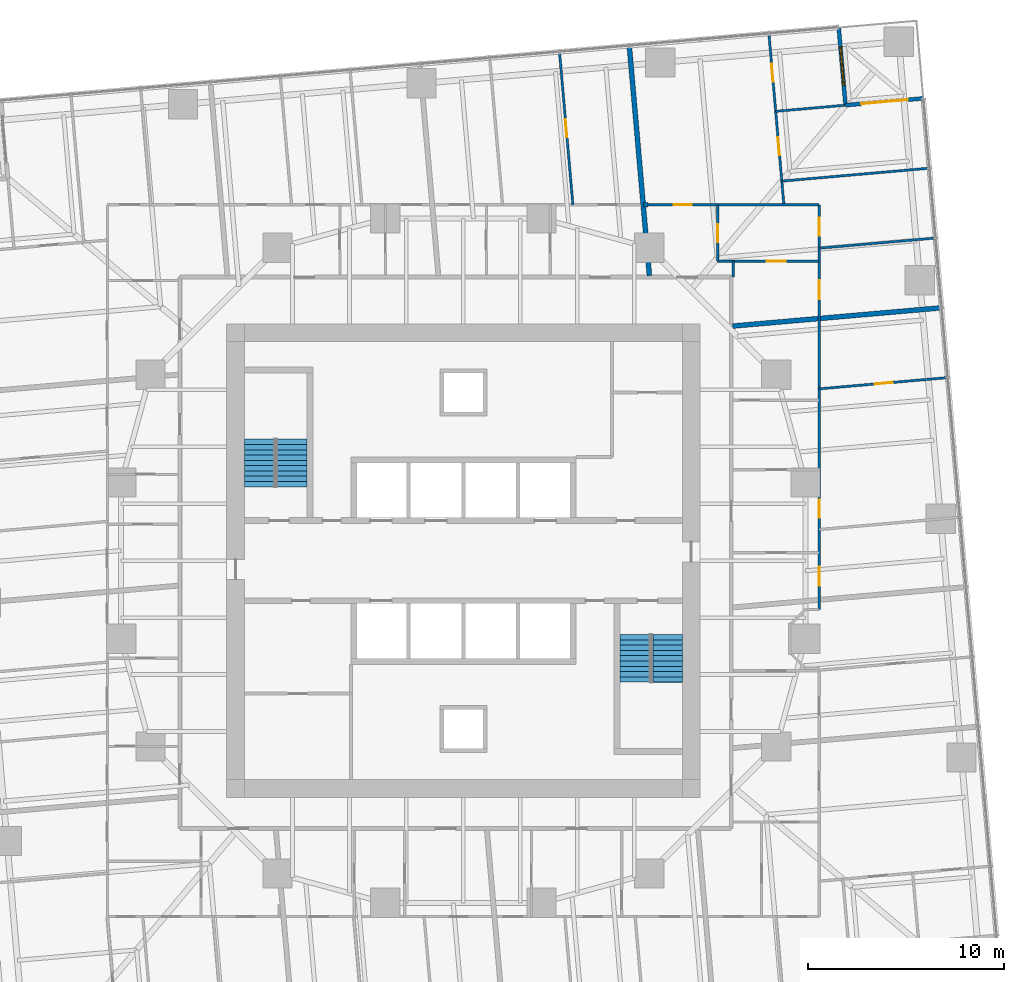
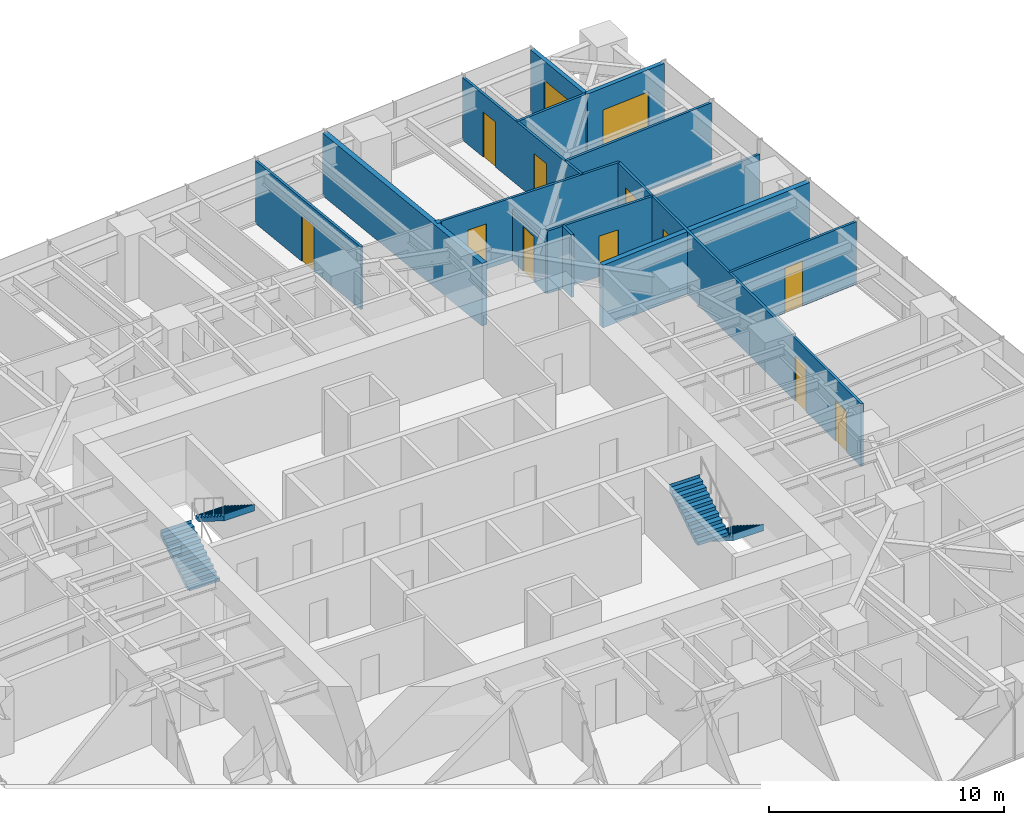
# One storey, part 13 of 14: 16 walls, 12 doors, 4 stair flights, 1 window, 13 openings, 2 elements without a shape of their own.
"""IFC4 building model written with IfcOpenShell, lengths in metres."""

from ifc_helpers import new_model, si_unit, direction, frame, frame_2d, origin, place, context, subcontext, project, spatial, polyline, rectangle, outline, extrude, material, layer, layer_set, type_object, element, fill, aggregate, save


model = new_model("IFC4")

# Units and contexts
model_context = context("Model", 3, precision=1e-05, world=origin(), true_north=direction((0.0, 1.0)))
body_context = subcontext(model_context, "Body", "Model", "MODEL_VIEW")
ifc_project = project(units=[si_unit("LENGTHUNIT", "METRE"), si_unit("AREAUNIT", "SQUARE_METRE"), si_unit("VOLUMEUNIT", "CUBIC_METRE"), si_unit("PLANEANGLEUNIT", "RADIAN"), si_unit("MASSUNIT", "GRAM", prefix="KILO")], contexts=[model_context])

# Site, building, storey
site_placement = place(None, origin())
site = spatial("IfcSite", under=ifc_project, at=site_placement, CompositionType="ELEMENT")
building_placement = place(site_placement, origin())
building = spatial("IfcBuilding", under=site, at=building_placement, Name="Torsade Residences", CompositionType="ELEMENT")
storey_placement = place(building_placement, frame((0.0, 0.0, 67.60009765625)))
storey = spatial("IfcBuildingStorey", under=building, at=storey_placement, Name="L18", CompositionType="ELEMENT", Elevation=67.60009765625)

# Wall, openings, doors
ifc_material_1 = material(Name="Plasterboard on steel stud", Category="steel")
ifc_layer_1 = layer(ifc_material_1, 0.1201171875)
ifc_layer_set_1 = layer_set([ifc_layer_1], Name="Plasterboard on steel stud")
wall_type_1 = type_object("IfcWallType", Name="PARTITION 120", PredefinedType="PARTITIONING", material=ifc_layer_set_1)
wall_1_placement = place(storey_placement, frame((58.199951171875, 48.199951171875, 0.0), z_axis=(0.0, 0.0, 1.0), x_axis=(0.0, -1.0, 0.0)))
wall_1 = element("IfcWall", 1, at=wall_1_placement, inside=storey, type_object=wall_type_1, Name="Partition L18", PredefinedType="PARTITIONING", context=body_context, shape_type="SweptSolid", body=[
    extrude(rectangle(XDim=20.699951171875, YDim=0.1201171875, at=frame_2d((10.35009765625, 0.0))), origin(), (0.0, 0.0, 1.0), 3.25),
])
opening_1_placement = place(wall_1_placement, frame((15.0947265625, 0.0, 0.0)))
opening_1 = element("IfcOpeningElement", 2, at=opening_1_placement, cuts=wall_1, Name="Opening D02", PredefinedType="OPENING", context=body_context, shape_type="SweptSolid", body=[
    extrude(rectangle(XDim=0.919921875, YDim=2.340087890625, at=frame_2d((0.4599609375, 1.169921875))), frame((0.0, 0.070068359375, 0.0), z_axis=(0.0, -1.0, 0.0), x_axis=(1.0, 0.0, 0.0)), (0.0, 0.0, 1.0), 0.14013671875),
])
opening_2_placement = place(wall_1_placement, frame((18.520751953125, 0.0, 0.0)))
opening_2 = element("IfcOpeningElement", 3, at=opening_2_placement, cuts=wall_1, Name="Opening D05", PredefinedType="OPENING", context=body_context, shape_type="SweptSolid", body=[
    extrude(rectangle(XDim=0.9599609375, YDim=2.10009765625, at=frame_2d((0.47998046875, 1.050048828125))), frame((0.0, 0.070068359375, 0.0), z_axis=(0.0, -1.0, 0.0), x_axis=(1.0, 0.0, 0.0)), (0.0, 0.0, 1.0), 0.14013671875),
])
opening_3_placement = place(wall_1_placement, frame((0.6748046875, 0.0, 0.0)))
opening_3 = element("IfcOpeningElement", 4, at=opening_3_placement, cuts=wall_1, Name="Opening D02", PredefinedType="OPENING", context=body_context, shape_type="SweptSolid", body=[
    extrude(rectangle(XDim=0.919921875, YDim=2.340087890625, at=frame_2d((0.4599609375, 1.169921875))), frame((0.0, 0.070068359375, 0.0), z_axis=(0.0, -1.0, 0.0), x_axis=(1.0, 0.0, 0.0)), (0.0, 0.0, 1.0), 0.14013671875),
])
opening_4_placement = place(wall_1_placement, frame((3.8720703125, 0.0, 0.0)))
opening_4 = element("IfcOpeningElement", 5, at=opening_4_placement, cuts=wall_1, Name="Opening D05", PredefinedType="OPENING", context=body_context, shape_type="SweptSolid", body=[
    extrude(rectangle(XDim=0.9599609375, YDim=2.10009765625, at=frame_2d((0.47998046875, 1.050048828125))), frame((0.0, 0.070068359375, 0.0), z_axis=(0.0, -1.0, 0.0), x_axis=(1.0, 0.0, 0.0)), (0.0, 0.0, 1.0), 0.14013671875),
])
ifc_material_2 = material(Name="Hollow-core timber door in a steel cavity frame", Category="steel")
door_type_1 = type_object("IfcDoorType", Name="BATHROOM CAVITY SLIDING DOOR 960", OperationType="SLIDING_TO_LEFT", PredefinedType="DOOR", material=ifc_material_2)
door_1_placement = place(opening_2_placement, origin())
door_1 = element("IfcDoor", 6, at=door_1_placement, inside=storey, type_object=door_type_1, Name="Door Laundry to Bedroom 1", OperationType="SLIDING_TO_LEFT", OverallHeight=2.10009765625, OverallWidth=0.9599609375, PredefinedType="DOOR", context=body_context, shape_type="SweptSolid", body=[
    extrude(rectangle(XDim=0.9599609375, YDim=2.10009765625, at=frame_2d((0.47998046875, 1.050048828125))), frame((0.0, 0.02490234375, 0.0), z_axis=(0.0, -1.0, 0.0), x_axis=(1.0, 0.0, 0.0)), (0.0, 0.0, 1.0), 0.050048828125),
])
fill(opening_2, door_1)
door_2_placement = place(opening_4_placement, origin())
door_2 = element("IfcDoor", 7, at=door_2_placement, inside=storey, type_object=door_type_1, Name="Door Bathroom to Study", OperationType="SLIDING_TO_LEFT", OverallHeight=2.10009765625, OverallWidth=0.9599609375, PredefinedType="DOOR", context=body_context, shape_type="SweptSolid", body=[
    extrude(rectangle(XDim=0.9599609375, YDim=2.10009765625, at=frame_2d((0.47998046875, 1.050048828125))), frame((0.0, 0.02490234375, 0.0), z_axis=(0.0, -1.0, 0.0), x_axis=(1.0, 0.0, 0.0)), (0.0, 0.0, 1.0), 0.050048828125),
])
fill(opening_4, door_2)
ifc_material_3 = material(Name="Hollow-core timber door", Category="wood")
door_type_2 = type_object("IfcDoorType", Name="INTERNAL DOOR 920x2340", OperationType="NOTDEFINED", PredefinedType="DOOR", material=ifc_material_3)
door_3_placement = place(opening_1_placement, origin())
door_3 = element("IfcDoor", 8, at=door_3_placement, inside=storey, type_object=door_type_2, Name="Door Kitchen and dining to Living room", OperationType="SINGLE_SWING_RIGHT", OverallHeight=2.340087890625, OverallWidth=0.919921875, PredefinedType="DOOR", context=body_context, shape_type="SweptSolid", body=[
    extrude(rectangle(XDim=0.919921875, YDim=2.340087890625, at=frame_2d((0.4599609375, 1.169921875))), frame((0.0, 0.02490234375, 0.0), z_axis=(0.0, -1.0, 0.0), x_axis=(1.0, 0.0, 0.0)), (0.0, 0.0, 1.0), 0.050048828125),
])
fill(opening_1, door_3)
door_4_placement = place(opening_3_placement, origin())
door_4 = element("IfcDoor", 9, at=door_4_placement, inside=storey, type_object=door_type_2, Name="Door Dressing room to Bedroom 2", OperationType="SINGLE_SWING_RIGHT", OverallHeight=2.340087890625, OverallWidth=0.919921875, PredefinedType="DOOR", context=body_context, shape_type="SweptSolid", body=[
    extrude(rectangle(XDim=0.919921875, YDim=2.340087890625, at=frame_2d((0.4599609375, 1.169921875))), frame((0.0, 0.02490234375, 0.0), z_axis=(0.0, -1.0, 0.0), x_axis=(1.0, 0.0, 0.0)), (0.0, 0.0, 1.0), 0.050048828125),
])
fill(opening_3, door_4)

# Wall, opening, door
wall_2_placement = place(storey_placement, frame((58.199951171875, 38.786376953125, 0.0), z_axis=(0.0, 0.0, 1.0), x_axis=(0.996195090105, 0.087151261897, 0.0)))
wall_2 = element("IfcWall", 10, at=wall_2_placement, inside=storey, type_object=wall_type_1, Name="Partition L18", PredefinedType="PARTITIONING", context=body_context, shape_type="SweptSolid", body=[
    extrude(rectangle(XDim=6.5634765625, YDim=0.1201171875, at=frame_2d((3.28173828125, 0.0))), origin(), (0.0, 0.0, 1.0), 3.25),
])
opening_5_placement = place(wall_2_placement, frame((2.841796875, 0.0, 0.0)))
opening_5 = element("IfcOpeningElement", 11, at=opening_5_placement, cuts=wall_2, Name="Opening D02", PredefinedType="OPENING", context=body_context, shape_type="SweptSolid", body=[
    extrude(rectangle(XDim=0.919921875, YDim=2.340087890625, at=frame_2d((0.4599609375, 1.169921875))), frame((0.0, 0.070068359375, 0.0), z_axis=(0.0, -1.0, 0.0), x_axis=(1.0, 0.0, 0.0)), (0.0, 0.0, 1.0), 0.14013671875),
])
door_5_placement = place(opening_5_placement, origin())
door_5 = element("IfcDoor", 12, at=door_5_placement, inside=storey, type_object=door_type_2, Name="Door Living room to Bedroom 2", OperationType="SINGLE_SWING_LEFT", OverallHeight=2.340087890625, OverallWidth=0.919921875, PredefinedType="DOOR", context=body_context, shape_type="SweptSolid", body=[
    extrude(rectangle(XDim=0.919921875, YDim=2.340087890625, at=frame_2d((0.4599609375, 1.169921875))), frame((0.0, 0.02490234375, 0.0), z_axis=(0.0, -1.0, 0.0), x_axis=(1.0, 0.0, 0.0)), (0.0, 0.0, 1.0), 0.050048828125),
])
fill(opening_5, door_5)

# Wall
wall_3_placement = place(storey_placement, frame((53.800048828125, 45.3125, 0.0), z_axis=(0.0, 0.0, 1.0), x_axis=(0.0, -1.0, 0.0)))
element("IfcWall", 13, at=wall_3_placement, inside=storey, type_object=wall_type_1, Name="Partition L18", PredefinedType="PARTITIONING", context=body_context, shape_type="SweptSolid", body=[
    extrude(rectangle(XDim=0.8125, YDim=0.1201171875, at=frame_2d((0.40625, 0.0))), origin(), (0.0, 0.0, 1.0), 3.25),
])

# Wall, opening, door
wall_4_placement = place(storey_placement, frame((53.00244140625, 48.199951171875, 0.0), z_axis=(0.0, 0.0, 1.0), x_axis=(0.0, -1.0, 0.0)))
wall_4 = element("IfcWall", 14, at=wall_4_placement, inside=storey, type_object=wall_type_1, Name="Partition L18", PredefinedType="PARTITIONING", context=body_context, shape_type="SweptSolid", body=[
    extrude(rectangle(XDim=2.887451171875, YDim=0.1201171875, at=frame_2d((1.44384765625, 0.0))), origin(), (0.0, 0.0, 1.0), 2.637939453125),
])
opening_6_placement = place(wall_4_placement, frame((0.983642578125, 0.0, 0.0)))
opening_6 = element("IfcOpeningElement", 15, at=opening_6_placement, cuts=wall_4, Name="Opening D02", PredefinedType="OPENING", context=body_context, shape_type="SweptSolid", body=[
    extrude(rectangle(XDim=0.919921875, YDim=2.340087890625, at=frame_2d((0.4599609375, 1.169921875))), frame((0.0, 0.070068359375, 0.0), z_axis=(0.0, -1.0, 0.0), x_axis=(1.0, 0.0, 0.0)), (0.0, 0.0, 1.0), 0.14013671875),
])
door_6_placement = place(opening_6_placement, origin())
door_6 = element("IfcDoor", 16, at=door_6_placement, inside=storey, type_object=door_type_2, Name="Door Kitchen and dining to Dressing room", OperationType="SINGLE_SWING_LEFT", OverallHeight=2.340087890625, OverallWidth=0.919921875, PredefinedType="DOOR", context=body_context, shape_type="SweptSolid", body=[
    extrude(rectangle(XDim=0.919921875, YDim=2.340087890625, at=frame_2d((0.4599609375, 1.169921875))), frame((0.0, 0.02490234375, 0.0), z_axis=(0.0, -1.0, 0.0), x_axis=(1.0, 0.0, 0.0)), (0.0, 0.0, 1.0), 0.050048828125),
])
fill(opening_6, door_6)

wall_5_placement = place(storey_placement, frame((53.00244140625, 45.3125, 0.0), z_axis=(0.0, 0.0, 1.0), x_axis=(1.0, 0.0, 0.0)))
wall_5 = element("IfcWall", 17, at=wall_5_placement, inside=storey, type_object=wall_type_1, Name="Partition L18", PredefinedType="PARTITIONING", context=body_context, shape_type="SweptSolid", body=[
    extrude(rectangle(XDim=5.197509765625, YDim=0.1201171875, at=frame_2d((2.5986328125, 0.0))), origin(), (0.0, 0.0, 1.0), 3.25),
])
opening_7_placement = place(wall_5_placement, frame((2.517578125, 0.0, 0.0)))
opening_7 = element("IfcOpeningElement", 18, at=opening_7_placement, cuts=wall_5, Name="Opening D05", PredefinedType="OPENING", context=body_context, shape_type="SweptSolid", body=[
    extrude(rectangle(XDim=0.9599609375, YDim=2.10009765625, at=frame_2d((0.47998046875, 1.050048828125))), frame((0.0, 0.070068359375, 0.0), z_axis=(0.0, -1.0, 0.0), x_axis=(1.0, 0.0, 0.0)), (0.0, 0.0, 1.0), 0.14013671875),
])
door_7_placement = place(opening_7_placement, origin())
door_7 = element("IfcDoor", 19, at=door_7_placement, inside=storey, type_object=door_type_1, Name="Door Dressing room to Bathroom", OperationType="SLIDING_TO_LEFT", OverallHeight=2.10009765625, OverallWidth=0.9599609375, PredefinedType="DOOR", context=body_context, shape_type="SweptSolid", body=[
    extrude(rectangle(XDim=0.9599609375, YDim=2.10009765625, at=frame_2d((0.47998046875, 1.050048828125))), frame((0.0, 0.02490234375, 0.0), z_axis=(0.0, -1.0, 0.0), x_axis=(1.0, 0.0, 0.0)), (0.0, 0.0, 1.0), 0.050048828125),
])
fill(opening_7, door_7)

wall_6_placement = place(storey_placement, frame((49.444091796875, 48.199951171875, 0.0), z_axis=(0.0, 0.0, 1.0), x_axis=(1.0, 0.0, 0.0)))
wall_6 = element("IfcWall", 20, at=wall_6_placement, inside=storey, type_object=wall_type_1, Name="Partition L18", PredefinedType="PARTITIONING", context=body_context, shape_type="SweptSolid", body=[
    extrude(rectangle(XDim=8.755859375, YDim=0.1201171875, at=frame_2d((4.3779296875, 0.0))), origin(), (0.0, 0.0, 1.0), 3.25),
])
opening_8_placement = place(wall_6_placement, frame((1.319091796875, 0.0, 0.0)))
opening_8 = element("IfcOpeningElement", 21, at=opening_8_placement, cuts=wall_6, Name="Opening D02", PredefinedType="OPENING", context=body_context, shape_type="SweptSolid", body=[
    extrude(rectangle(XDim=0.919921875, YDim=2.340087890625, at=frame_2d((0.4599609375, 1.169921875))), frame((0.0, 0.070068359375, 0.0), z_axis=(0.0, -1.0, 0.0), x_axis=(1.0, 0.0, 0.0)), (0.0, 0.0, 1.0), 0.14013671875),
])
door_8_placement = place(opening_8_placement, origin())
door_8 = element("IfcDoor", 22, at=door_8_placement, inside=storey, type_object=door_type_2, Name="Door Kitchen and dining to Living room", OperationType="SINGLE_SWING_LEFT", OverallHeight=2.340087890625, OverallWidth=0.919921875, PredefinedType="DOOR", context=body_context, shape_type="SweptSolid", body=[
    extrude(rectangle(XDim=0.919921875, YDim=2.340087890625, at=frame_2d((0.4599609375, 1.169921875))), frame((0.0, 0.02490234375, 0.0), z_axis=(0.0, -1.0, 0.0), x_axis=(1.0, 0.0, 0.0)), (0.0, 0.0, 1.0), 0.050048828125),
])
fill(opening_8, door_8)

# Wall, openings, doors
wall_7_placement = place(storey_placement, frame((55.62939453125, 56.924560546875, 0.0), z_axis=(0.0, 0.0, 1.0), x_axis=(0.087169716747, -0.996193475426, 0.0)))
wall_7 = element("IfcWall", 23, at=wall_7_placement, inside=storey, type_object=wall_type_1, Name="Partition L18", PredefinedType="PARTITIONING", context=body_context, shape_type="SweptSolid", body=[
    extrude(rectangle(XDim=8.758056640625, YDim=0.1201171875, at=frame_2d((4.37890625, 0.0))), origin(), (0.0, 0.0, 1.0), 3.25),
])
opening_9_placement = place(wall_7_placement, frame((1.52490234375, 0.0, 0.0)))
opening_9 = element("IfcOpeningElement", 24, at=opening_9_placement, cuts=wall_7, Name="Opening D02", PredefinedType="OPENING", context=body_context, shape_type="SweptSolid", body=[
    extrude(rectangle(XDim=0.919921875, YDim=2.340087890625, at=frame_2d((0.4599609375, 1.169921875))), frame((0.0, 0.070068359375, 0.0), z_axis=(0.0, -1.0, 0.0), x_axis=(1.0, 0.0, 0.0)), (0.0, 0.0, 1.0), 0.14013671875),
])
opening_10_placement = place(wall_7_placement, frame((5.291748046875, 0.0, 0.0)))
opening_10 = element("IfcOpeningElement", 25, at=opening_10_placement, cuts=wall_7, Name="Opening D02", PredefinedType="OPENING", context=body_context, shape_type="SweptSolid", body=[
    extrude(rectangle(XDim=0.919921875, YDim=2.340087890625, at=frame_2d((0.4599609375, 1.169921875))), frame((0.0, 0.070068359375, 0.0), z_axis=(0.0, -1.0, 0.0), x_axis=(1.0, 0.0, 0.0)), (0.0, 0.0, 1.0), 0.14013671875),
])
door_9_placement = place(opening_9_placement, origin())
door_9 = element("IfcDoor", 26, at=door_9_placement, inside=storey, type_object=door_type_2, Name="Door Living room to Family room", OperationType="SINGLE_SWING_RIGHT", OverallHeight=2.340087890625, OverallWidth=0.919921875, PredefinedType="DOOR", context=body_context, shape_type="SweptSolid", body=[
    extrude(rectangle(XDim=0.919921875, YDim=2.340087890625, at=frame_2d((0.4599609375, 1.169921875))), frame((0.0, 0.02490234375, 0.0), z_axis=(0.0, -1.0, 0.0), x_axis=(1.0, 0.0, 0.0)), (0.0, 0.0, 1.0), 0.050048828125),
])
fill(opening_9, door_9)
door_10_placement = place(opening_10_placement, origin())
door_10 = element("IfcDoor", 27, at=door_10_placement, inside=storey, type_object=door_type_2, Name="Door Living room to Bedroom 1", OperationType="SINGLE_SWING_RIGHT", OverallHeight=2.340087890625, OverallWidth=0.919921875, PredefinedType="DOOR", context=body_context, shape_type="SweptSolid", body=[
    extrude(rectangle(XDim=0.919921875, YDim=2.340087890625, at=frame_2d((0.4599609375, 1.169921875))), frame((0.0, 0.02490234375, 0.0), z_axis=(0.0, -1.0, 0.0), x_axis=(1.0, 0.0, 0.0)), (0.0, 0.0, 1.0), 0.050048828125),
])
fill(opening_10, door_10)

# Walls
wall_8_placement = place(storey_placement, frame((63.801513671875, 50.0673828125, 0.0), z_axis=(0.0, 0.0, 1.0), x_axis=(-0.996194420069, -0.087158920508, 0.0)))
element("IfcWall", 28, at=wall_8_placement, inside=storey, type_object=wall_type_1, Name="Partition L18", PredefinedType="PARTITIONING", context=body_context, shape_type="SweptSolid", body=[
    extrude(rectangle(XDim=7.54345703125, YDim=0.1201171875, at=frame_2d((3.771728515625, 0.0))), origin(), (0.0, 0.0, 1.0), 3.25),
])
wall_9_placement = place(storey_placement, frame((55.974609375, 52.979736328125, 0.0), z_axis=(0.0, 0.0, 1.0), x_axis=(0.996194166221, 0.087161821847, 0.0)))
element("IfcWall", 29, at=wall_9_placement, inside=storey, type_object=wall_type_1, Name="Partition L18", PredefinedType="PARTITIONING", context=body_context, shape_type="SweptSolid", body=[
    extrude(rectangle(XDim=3.543212890625, YDim=0.1201171875, at=frame_2d((1.771484375, 0.0))), origin(), (0.0, 0.0, 1.0), 3.25),
])
wall_10_placement = place(storey_placement, frame((64.11376953125, 46.497802734375, 0.0), z_axis=(0.0, 0.0, 1.0), x_axis=(-0.996195547509, -0.087146033323, 0.0)))
element("IfcWall", 30, at=wall_10_placement, inside=storey, type_object=wall_type_1, Name="Partition L18", PredefinedType="PARTITIONING", context=body_context, shape_type="SweptSolid", body=[
    extrude(rectangle(XDim=5.9365234375, YDim=0.1201171875, at=frame_2d((2.96826171875, 0.0))), origin(), (0.0, 0.0, 1.0), 2.637939453125),
])

# Wall, opening, door
wall_11_placement = place(storey_placement, frame((45.601806640625, 48.199951171875, 0.0), z_axis=(0.0, 0.0, 1.0), x_axis=(-0.087161914023, 0.996194158156, 0.0)))
wall_11 = element("IfcWall", 31, at=wall_11_placement, inside=storey, type_object=wall_type_1, Name="Partition L18", PredefinedType="PARTITIONING", context=body_context, shape_type="SweptSolid", body=[
    extrude(rectangle(XDim=7.817626953125, YDim=0.1201171875, at=frame_2d((3.90869140625, 0.0))), origin(), (0.0, 0.0, 1.0), 3.25),
])
opening_11_placement = place(wall_11_placement, frame((3.46875, 0.0, 0.0)))
opening_11 = element("IfcOpeningElement", 32, at=opening_11_placement, cuts=wall_11, Name="Opening D02", PredefinedType="OPENING", context=body_context, shape_type="SweptSolid", body=[
    extrude(rectangle(XDim=0.919921875, YDim=2.340087890625, at=frame_2d((0.4599609375, 1.169921875))), frame((0.0, 0.070068359375, 0.0), z_axis=(0.0, -1.0, 0.0), x_axis=(1.0, 0.0, 0.0)), (0.0, 0.0, 1.0), 0.14013671875),
])
door_11_placement = place(opening_11_placement, origin())
door_11 = element("IfcDoor", 33, at=door_11_placement, inside=storey, type_object=door_type_2, Name="Door Living room to Bedroom 1", OperationType="SINGLE_SWING_RIGHT", OverallHeight=2.340087890625, OverallWidth=0.919921875, PredefinedType="DOOR", context=body_context, shape_type="SweptSolid", body=[
    extrude(rectangle(XDim=0.919921875, YDim=2.340087890625, at=frame_2d((0.4599609375, 1.169921875))), frame((0.0, 0.02490234375, 0.0), z_axis=(0.0, -1.0, 0.0), x_axis=(1.0, 0.0, 0.0)), (0.0, 0.0, 1.0), 0.050048828125),
])
fill(opening_11, door_11)

# Walls
ifc_material_4 = material(Name="Masonry-lined stud party wall", Category="masonry")
ifc_layer_2 = layer(ifc_material_4, 0.25)
ifc_layer_set_2 = layer_set([ifc_layer_2], Name="Masonry-lined stud party wall")
wall_type_2 = type_object("IfcWallType", Name="PARTY WALL 250", PredefinedType="PARTITIONING", material=ifc_layer_set_2)
wall_12_placement = place(storey_placement, frame((64.466064453125, 42.931640625, 0.0), z_axis=(0.0, 0.0, 1.0), x_axis=(-0.996193939644, -0.08716441141, 0.0)))
element("IfcWall", 34, at=wall_12_placement, inside=storey, type_object=wall_type_2, Name="Party wall L18", PredefinedType="PARTITIONING", context=body_context, shape_type="SweptSolid", body=[
    extrude(rectangle(XDim=10.73583984375, YDim=0.25, at=frame_2d((5.367919921875, 0.0))), origin(), (0.0, 0.0, 1.0), 3.25),
])
wall_13_placement = place(storey_placement, frame((48.486572265625, 56.33984375, 0.0), z_axis=(0.0, 0.0, 1.0), x_axis=(0.087168232078, -0.996193605338, 0.0)))
element("IfcWall", 35, at=wall_13_placement, inside=storey, type_object=wall_type_2, Name="Party wall L18", PredefinedType="PARTITIONING", context=body_context, shape_type="SweptSolid", body=[
    extrude(rectangle(XDim=11.813720703125, YDim=0.25, at=frame_2d((5.90673828125, 0.0))), origin(), (0.0, 0.0, 1.0), 3.25),
])
wall_14_placement = place(storey_placement, frame((49.223388671875, 48.2001953125, 0.0), z_axis=(0.0, 0.0, 1.0), x_axis=(0.999999388167, -0.001106194013, 0.0)))
element("IfcWall", 36, at=wall_14_placement, inside=storey, type_object=wall_type_2, Name="Party wall L18", PredefinedType="PARTITIONING", context=body_context, shape_type="SweptSolid", body=[
    extrude(rectangle(XDim=0.220703125, YDim=0.25, at=frame_2d((0.1103515625, 0.0))), origin(), (0.0, 0.0, 1.0), 3.25),
])

# Wall, opening, door
ifc_material_5 = material(Name="Stone-faced precast concrete 40 MPa panel", Category="masonry")
ifc_layer_3 = layer(ifc_material_5, 0.199951171875)
ifc_layer_set_3 = layer_set([ifc_layer_3], Name="Stone-faced precast concrete 40 MPa panel")
wall_type_3 = type_object("IfcWallType", Name="TERRACE WALL 200", PredefinedType="SOLIDWALL", material=ifc_layer_set_3)
wall_15_placement = place(storey_placement, frame((63.529052734375, 53.640625, 0.0), z_axis=(0.0, 0.0, 1.0), x_axis=(-0.99619418125, -0.087161650072, 0.0)))
wall_15 = element("IfcWall", 37, at=wall_15_placement, inside=storey, type_object=wall_type_3, Name="Terrace wall L18 5", PredefinedType="SOLIDWALL", context=body_context, shape_type="SweptSolid", body=[
    extrude(rectangle(XDim=3.999755859375, YDim=0.199951171875, at=frame_2d((2.0, 0.0))), origin(), (0.0, 0.0, 1.0), 3.25),
])
opening_12_placement = place(wall_15_placement, frame((0.800048828125, 0.0, 0.0)))
opening_12 = element("IfcOpeningElement", 38, at=opening_12_placement, cuts=wall_15, Name="Opening D10A", PredefinedType="OPENING", context=body_context, shape_type="SweptSolid", body=[
    extrude(rectangle(XDim=2.39990234375, YDim=2.10009765625, at=frame_2d((1.199951171875, 1.050048828125))), frame((0.0, 0.10986328125, 0.0), z_axis=(0.0, -1.0, 0.0), x_axis=(1.0, 0.0, 0.0)), (0.0, 0.0, 1.0), 0.219970703125),
])
ifc_material_6 = material(Name="Aluminium-framed glass door", Category="aluminium")
door_type_3 = type_object("IfcDoorType", Name="TERRACE SLIDING DOOR 2400x2100", OperationType="SLIDING_TO_LEFT", PredefinedType="DOOR", material=ifc_material_6)
door_12_placement = place(opening_12_placement, origin())
door_12 = element("IfcDoor", 39, at=door_12_placement, inside=storey, type_object=door_type_3, Name="Terrace door L18 5", OperationType="SLIDING_TO_LEFT", OverallHeight=2.10009765625, OverallWidth=2.39990234375, PredefinedType="DOOR", context=body_context, shape_type="SweptSolid", body=[
    extrude(rectangle(XDim=2.39990234375, YDim=2.10009765625, at=frame_2d((1.199951171875, 1.050048828125))), frame((0.0, 0.02490234375, 0.0), z_axis=(0.0, -1.0, 0.0), x_axis=(1.0, 0.0, 0.0)), (0.0, 0.0, 1.0), 0.050048828125),
])
fill(opening_12, door_12)

# Wall, opening, window
wall_16_placement = place(storey_placement, frame((59.54443359375, 53.2919921875, 0.0), z_axis=(0.0, 0.0, 1.0), x_axis=(-0.087156350505, 0.99619464492, 0.0)))
wall_16 = element("IfcWall", 40, at=wall_16_placement, inside=storey, type_object=wall_type_3, Name="Terrace wall L18 6", PredefinedType="SOLIDWALL", context=body_context, shape_type="SweptSolid", body=[
    extrude(rectangle(XDim=4.0, YDim=0.199951171875, at=frame_2d((2.0, 0.0))), origin(), (0.0, 0.0, 1.0), 3.25),
])
opening_13_placement = place(wall_16_placement, frame((1.0, 0.0, 0.449951171875)))
opening_13 = element("IfcOpeningElement", 41, at=opening_13_placement, cuts=wall_16, Name="Opening W1B", PredefinedType="OPENING", context=body_context, shape_type="SweptSolid", body=[
    extrude(rectangle(XDim=2.0, YDim=1.800048828125, at=frame_2d((1.0, 0.89990234375))), frame((0.0, 0.10986328125, 0.0), z_axis=(0.0, -1.0, 0.0), x_axis=(1.0, 0.0, 0.0)), (0.0, 0.0, 1.0), 0.219970703125),
])
ifc_material_7 = material(Name="Aluminium-framed glass window", Category="aluminium")
window_type = type_object("IfcWindowType", Name="TERRACE WINDOW 2000x1800", PartitioningType="SINGLE_PANEL", PredefinedType="WINDOW", material=ifc_material_7)
window_placement = place(opening_13_placement, origin())
window = element("IfcWindow", 42, at=window_placement, inside=storey, type_object=window_type, Name="Terrace window L18 6", OverallHeight=1.800048828125, OverallWidth=2.0, PartitioningType="SINGLE_PANEL", PredefinedType="WINDOW", context=body_context, shape_type="SweptSolid", body=[
    extrude(rectangle(XDim=2.0, YDim=1.800048828125, at=frame_2d((1.0, 0.89990234375))), frame((0.0, 0.030029296875, 0.0), z_axis=(0.0, -1.0, 0.0), x_axis=(1.0, 0.0, 0.0)), (0.0, 0.0, 1.0), 0.06005859375),
])
fill(opening_13, window)

# Stair, stair flights
ifc_material_8 = material(Name="Precast concrete 40 MPa", Category="concrete")
stair_type = type_object("IfcStairType", Name="HALF-TURN FIRE STAIR 1500x3400", PredefinedType="HALF_TURN_STAIR", material=ifc_material_8)
stair_1_placement = place(storey_placement, origin())
stair_1 = element("IfcStair", 43, at=stair_1_placement, inside=storey, type_object=stair_type, Name="Stair ST1 L18", PredefinedType="HALF_TURN_STAIR")
ifc_material_9 = material(Name="Precast concrete 40 MPa", Category="concrete")
stair_flight_type = type_object("IfcStairFlightType", Name="PRECAST STAIR FLIGHT 1500x1700", PredefinedType="STRAIGHT", material=ifc_material_9)
stair_flight_1_placement = place(storey_placement, frame((29.550048828125, 33.780029296875, 0.0), z_axis=(0.0, 0.0, 1.0), x_axis=(0.0, 1.0, 0.0)))
stair_flight_1 = element("IfcStairFlight", 44, at=stair_flight_1_placement, type_object=stair_flight_type, Name="ST1 flight 1", NumberOfRisers=10, NumberOfTreads=9, PredefinedType="STRAIGHT", RiserHeight=0.17, TreadLength=0.27, context=body_context, shape_type="SweptSolid", body=[
    extrude(outline(polyline([(0.0, 0.0), (0.0, 0.169921875), (0.27001953125, 0.169921875), (0.27001953125, 0.340087890625), (0.5400390625, 0.340087890625), (0.5400390625, 0.510009765625), (0.81005859375, 0.510009765625), (0.81005859375, 0.679931640625), (1.080078125, 0.679931640625), (1.080078125, 0.85009765625), (1.35009765625, 0.85009765625), (1.35009765625, 1.02001953125), (1.6201171875, 1.02001953125), (1.6201171875, 1.18994140625), (1.889892578125, 1.18994140625), (1.889892578125, 1.360107421875), (2.159912109375, 1.360107421875), (2.159912109375, 1.530029296875), (2.429931640625, 1.530029296875), (2.429931640625, 1.699951171875), (2.43994140625, 1.699951171875), (2.43994140625, 1.352783203125), (2.429931640625, 1.352783203125), (0.28125, 0.0), (0.0, 0.0)])), frame((0.0, 0.75, 0.0), z_axis=(0.0, -1.0, 0.0), x_axis=(1.0, 0.0, 0.0)), (0.0, 0.0, 1.0), 1.5),
])
stair_flight_2_placement = place(storey_placement, frame((31.25, 36.2099609375, 1.699951171875), z_axis=(0.0, 0.0, 1.0), x_axis=(0.0, -1.0, 0.0)))
stair_flight_2 = element("IfcStairFlight", 45, at=stair_flight_2_placement, type_object=stair_flight_type, Name="ST1 flight 2", NumberOfRisers=10, NumberOfTreads=9, PredefinedType="STRAIGHT", RiserHeight=0.17, TreadLength=0.27, context=body_context, shape_type="SweptSolid", body=[
    extrude(outline(polyline([(0.0, 0.0), (0.0, 0.169921875), (0.27001953125, 0.169921875), (0.27001953125, 0.340087890625), (0.5400390625, 0.340087890625), (0.5400390625, 0.510009765625), (0.81005859375, 0.510009765625), (0.81005859375, 0.679931640625), (1.080078125, 0.679931640625), (1.080078125, 0.85009765625), (1.35009765625, 0.85009765625), (1.35009765625, 1.02001953125), (1.6201171875, 1.02001953125), (1.6201171875, 1.18994140625), (1.889892578125, 1.18994140625), (1.889892578125, 1.360107421875), (2.159912109375, 1.360107421875), (2.159912109375, 1.530029296875), (2.429931640625, 1.530029296875), (2.429931640625, 1.699951171875), (2.43994140625, 1.699951171875), (2.43994140625, 1.352783203125), (2.429931640625, 1.352783203125), (0.28125, 0.0), (0.0, 0.0)])), frame((0.0, 0.75, 0.0), z_axis=(0.0, -1.0, 0.0), x_axis=(1.0, 0.0, 0.0)), (0.0, 0.0, 1.0), 1.5),
])
aggregate(stair_1, [stair_flight_1, stair_flight_2])

stair_2_placement = place(storey_placement, origin())
stair_2 = element("IfcStair", 46, at=stair_2_placement, inside=storey, type_object=stair_type, Name="Stair ST2 L18", PredefinedType="HALF_TURN_STAIR")
stair_flight_3_placement = place(storey_placement, frame((50.449951171875, 26.219970703125, 0.0), z_axis=(0.0, 0.0, 1.0), x_axis=(0.0, -1.0, 0.0)))
stair_flight_3 = element("IfcStairFlight", 47, at=stair_flight_3_placement, type_object=stair_flight_type, Name="ST2 flight 1", NumberOfRisers=10, NumberOfTreads=9, PredefinedType="STRAIGHT", RiserHeight=0.17, TreadLength=0.27, context=body_context, shape_type="SweptSolid", body=[
    extrude(outline(polyline([(0.0, 0.0), (0.0, 0.169921875), (0.27001953125, 0.169921875), (0.27001953125, 0.340087890625), (0.5400390625, 0.340087890625), (0.5400390625, 0.510009765625), (0.81005859375, 0.510009765625), (0.81005859375, 0.679931640625), (1.080078125, 0.679931640625), (1.080078125, 0.85009765625), (1.35009765625, 0.85009765625), (1.35009765625, 1.02001953125), (1.6201171875, 1.02001953125), (1.6201171875, 1.18994140625), (1.889892578125, 1.18994140625), (1.889892578125, 1.360107421875), (2.159912109375, 1.360107421875), (2.159912109375, 1.530029296875), (2.429931640625, 1.530029296875), (2.429931640625, 1.699951171875), (2.43994140625, 1.699951171875), (2.43994140625, 1.352783203125), (2.429931640625, 1.352783203125), (0.28125, 0.0), (0.0, 0.0)])), frame((0.0, 0.75, 0.0), z_axis=(0.0, -1.0, 0.0), x_axis=(1.0, 0.0, 0.0)), (0.0, 0.0, 1.0), 1.5),
])
stair_flight_4_placement = place(storey_placement, frame((48.75, 23.7900390625, 1.699951171875), z_axis=(0.0, 0.0, 1.0), x_axis=(0.0, 1.0, 0.0)))
stair_flight_4 = element("IfcStairFlight", 48, at=stair_flight_4_placement, type_object=stair_flight_type, Name="ST2 flight 2", NumberOfRisers=10, NumberOfTreads=9, PredefinedType="STRAIGHT", RiserHeight=0.17, TreadLength=0.27, context=body_context, shape_type="SweptSolid", body=[
    extrude(outline(polyline([(0.0, 0.0), (0.0, 0.169921875), (0.27001953125, 0.169921875), (0.27001953125, 0.340087890625), (0.5400390625, 0.340087890625), (0.5400390625, 0.510009765625), (0.81005859375, 0.510009765625), (0.81005859375, 0.679931640625), (1.080078125, 0.679931640625), (1.080078125, 0.85009765625), (1.35009765625, 0.85009765625), (1.35009765625, 1.02001953125), (1.6201171875, 1.02001953125), (1.6201171875, 1.18994140625), (1.889892578125, 1.18994140625), (1.889892578125, 1.360107421875), (2.159912109375, 1.360107421875), (2.159912109375, 1.530029296875), (2.429931640625, 1.530029296875), (2.429931640625, 1.699951171875), (2.43994140625, 1.699951171875), (2.43994140625, 1.352783203125), (2.429931640625, 1.352783203125), (0.28125, 0.0), (0.0, 0.0)])), frame((0.0, 0.75, 0.0), z_axis=(0.0, -1.0, 0.0), x_axis=(1.0, 0.0, 0.0)), (0.0, 0.0, 1.0), 1.5),
])
aggregate(stair_2, [stair_flight_3, stair_flight_4])

save(model, "model.ifc")
